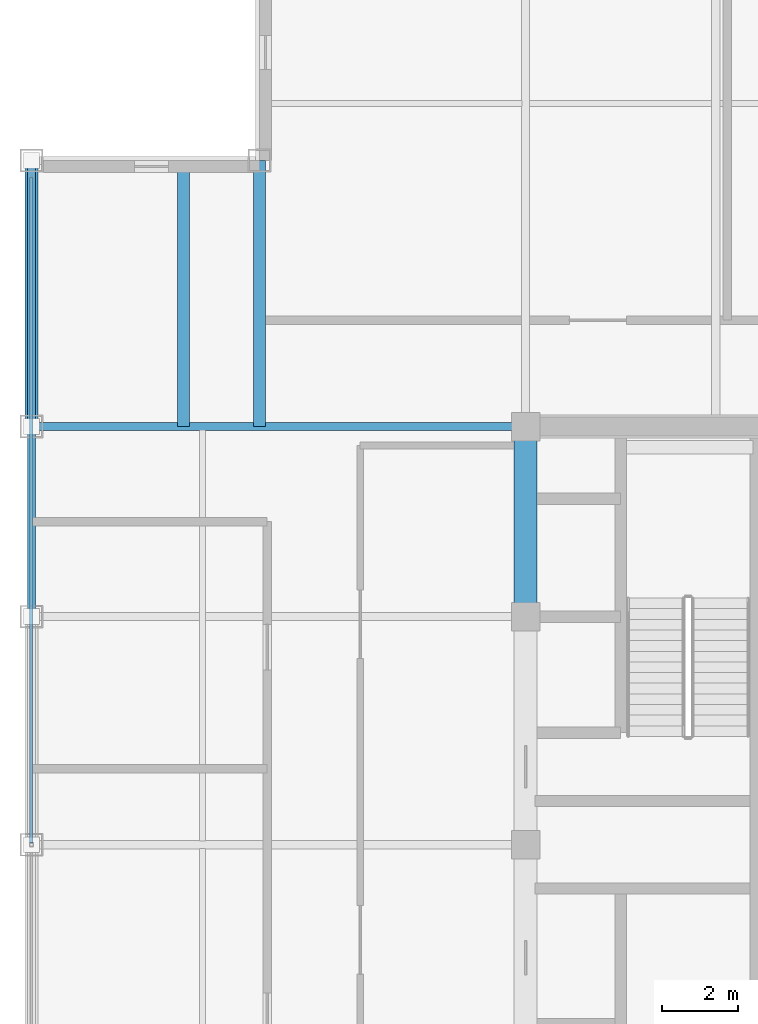
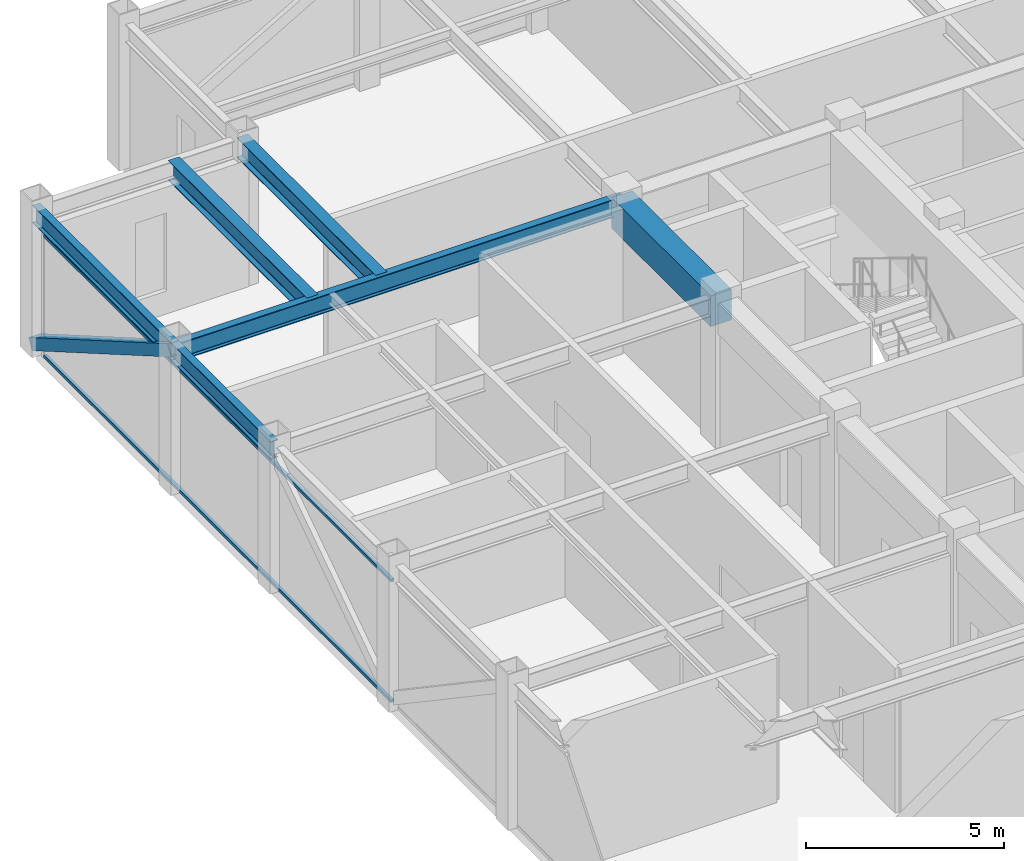
# One storey, part 13 of 27: 6 beams, 3 members, 1 element without a shape of its own.
"""IFC4 building model written with IfcOpenShell, lengths in metres."""

from ifc_helpers import new_model, si_unit, direction, frame, origin, origin_2d, place, context, subcontext, project, spatial, rectangle, hollow_rectangle, i_section, extrude, source, transform, mapped, material, material_profile, profile_set, type_object, element, aggregate, save


model = new_model("IFC4")

# Units and contexts
model_context = context("Model", 3, precision=1e-05, world=origin(), true_north=direction((0.0, 1.0)))
body_context = subcontext(model_context, "Body", "Model", "MODEL_VIEW")
ifc_project = project(units=[si_unit("LENGTHUNIT", "METRE"), si_unit("AREAUNIT", "SQUARE_METRE"), si_unit("VOLUMEUNIT", "CUBIC_METRE"), si_unit("PLANEANGLEUNIT", "RADIAN"), si_unit("MASSUNIT", "GRAM", prefix="KILO")], contexts=[model_context])

# Site, building, storey
site_placement = place(None, origin())
site = spatial("IfcSite", under=ifc_project, at=site_placement, CompositionType="ELEMENT")
building_placement = place(site_placement, origin())
building = spatial("IfcBuilding", under=site, at=building_placement, Name="Khorayat Bourse Tower", CompositionType="ELEMENT")
storey_placement = place(building_placement, frame((0.0, 0.0, 385.10009765625)))
storey = spatial("IfcBuildingStorey", under=building, at=storey_placement, Name="L91", CompositionType="ELEMENT", Elevation=385.10009765625)

# Beams
ifc_material_1 = material(Name="Concrete C60/75", Category="concrete")
ifc_material_profile_1 = material_profile(ifc_material_1, rectangle(XDim=0.60009765625, YDim=0.949951171875, at=origin_2d()), Name="RC 600x950")
ifc_profile_set_1 = profile_set([ifc_material_profile_1], Name="Concrete C60/75")
beam_type_1 = type_object("IfcBeamType", Name="BM-COUP-950", PredefinedType="BEAM", material=ifc_profile_set_1)
shared_shape_1 = source(origin(), body_context, "Body", "SweptSolid", [
    extrude(rectangle(XDim=0.60009765625, YDim=0.949951171875, at=origin_2d()), origin(), (0.0, 0.0, 1.0), 5.0),
])
beam_1_placement = place(storey_placement, frame((-11.0, 6.0, 3.974853515625), z_axis=(0.0, 1.0, 0.0), x_axis=(-1.0, 0.0, 0.0)))
element("IfcBeam", 1, at=beam_1_placement, inside=storey, type_object=beam_type_1, Name="L91 BM-COUP-950 BM-L91-CRX-04", PredefinedType="BEAM", context=body_context, shape_type="MappedRepresentation", body=[
    mapped(shared_shape_1, transform((0.0, 0.0, 0.0), scale=1.0)),
])
ifc_material_2 = material(Name="Steel ASTM A992 Grade 50", Category="steel")
ifc_material_profile_2 = material_profile(ifc_material_2, i_section(OverallWidth=0.214111328125, OverallDepth=0.549072265625, WebThickness=0.0146484375, FlangeThickness=0.023681640625, FilletRadius=0.013916015625, at=origin_2d()), Name="W530X138")
ifc_profile_set_2 = profile_set([ifc_material_profile_2], Name="Steel ASTM A992 Grade 50")
beam_type_2 = type_object("IfcBeamType", Name="BM-SPAN-530", PredefinedType="SPANDREL", material=ifc_profile_set_2)
shared_shape_2 = source(origin(), body_context, "Body", "SweptSolid", [
    extrude(i_section(OverallWidth=0.214111328125, OverallDepth=0.549072265625, WebThickness=0.0146484375, FlangeThickness=0.023681640625, FilletRadius=0.013916015625, at=origin_2d()), origin(), (0.0, 0.0, 1.0), 5.0),
])
beam_2_placement = place(storey_placement, frame((-24.0, 6.0, 4.17529296875), z_axis=(0.0, 1.0, 0.0), x_axis=(-1.0, 0.0, 0.0)))
element("IfcBeam", 2, at=beam_2_placement, inside=storey, type_object=beam_type_2, Name="L91 BM-SPAN-530 BM-L91-SPN-049", PredefinedType="SPANDREL", context=body_context, shape_type="MappedRepresentation", body=[
    mapped(shared_shape_2, transform((0.0, 0.0, 0.0), scale=1.0)),
])
shared_shape_3 = source(origin(), body_context, "Body", "SweptSolid", [
    extrude(i_section(OverallWidth=0.214111328125, OverallDepth=0.549072265625, WebThickness=0.0146484375, FlangeThickness=0.023681640625, FilletRadius=0.013916015625, at=origin_2d()), origin(), (0.0, 0.0, 1.0), 7.0),
])
beam_3_placement = place(storey_placement, frame((-24.0, 11.0, 4.17529296875), z_axis=(0.0, 1.0, 0.0), x_axis=(-1.0, 0.0, 0.0)))
element("IfcBeam", 3, at=beam_3_placement, inside=storey, type_object=beam_type_2, Name="L91 BM-SPAN-530 BM-L91-SPN-048", PredefinedType="SPANDREL", context=body_context, shape_type="MappedRepresentation", body=[
    mapped(shared_shape_3, transform((0.0, 0.0, 0.0), scale=1.0)),
])
ifc_material_profile_3 = material_profile(ifc_material_2, i_section(OverallWidth=0.214111328125, OverallDepth=0.549072265625, WebThickness=0.0146484375, FlangeThickness=0.023681640625, FilletRadius=0.013916015625, at=origin_2d()), Name="W530X138")
ifc_profile_set_3 = profile_set([ifc_material_profile_3], Name="Steel ASTM A992 Grade 50")
beam_type_3 = type_object("IfcBeamType", Name="BM-GIRD-530", PredefinedType="BEAM", material=ifc_profile_set_3)
shared_shape_4 = source(origin(), body_context, "Body", "SweptSolid", [
    extrude(i_section(OverallWidth=0.214111328125, OverallDepth=0.549072265625, WebThickness=0.0146484375, FlangeThickness=0.023681640625, FilletRadius=0.013916015625, at=origin_2d()), origin(), (0.0, 0.0, 1.0), 13.0),
])
beam_4_placement = place(storey_placement, frame((-24.0, 11.0, 4.17529296875), z_axis=(1.0, 0.0, 0.0), x_axis=(0.0, 1.0, 0.0)))
element("IfcBeam", 4, at=beam_4_placement, inside=storey, type_object=beam_type_3, Name="L91 BM-GIRD-530 BM-L91-RADX-075", PredefinedType="BEAM", context=body_context, shape_type="MappedRepresentation", body=[
    mapped(shared_shape_4, transform((0.0, 0.0, 0.0), scale=1.0)),
])
ifc_material_profile_4 = material_profile(ifc_material_2, i_section(OverallWidth=0.324951171875, OverallDepth=0.615966796875, WebThickness=0.013916015625, FlangeThickness=0.021484375, FilletRadius=0.01611328125, at=origin_2d()), Name="W610X174")
ifc_profile_set_4 = profile_set([ifc_material_profile_4], Name="Steel ASTM A992 Grade 50")
beam_type_4 = type_object("IfcBeamType", Name="BM-GIRD-610", PredefinedType="BEAM", material=ifc_profile_set_4)
shared_shape_5 = source(origin(), body_context, "Body", "SweptSolid", [
    extrude(i_section(OverallWidth=0.324951171875, OverallDepth=0.615966796875, WebThickness=0.013916015625, FlangeThickness=0.021484375, FilletRadius=0.01611328125, at=origin_2d()), origin(), (0.0, 0.0, 1.0), 7.0),
])
for number, where, z_axis, x_axis, name in (
    (5, (-18.0, 11.0, 4.141845703125), (0.0, 1.0, 0.0), (-1.0, 0.0, 0.0), "L91 BM-GIRD-610 BM-L91-CNRY-077"),
    (6, (-20.0, 11.0, 4.141845703125), (0.0, 1.0, 0.0), (-1.0, 0.0, 0.0), "L91 BM-GIRD-610 BM-L91-CNRY-081"),
):
    element("IfcBeam", number, at=place(storey_placement, frame(where, z_axis=z_axis, x_axis=x_axis)), inside=storey, type_object=beam_type_4, Name=name, PredefinedType="BEAM", context=body_context, shape_type="MappedRepresentation", body=[
        mapped(shared_shape_5, transform((0.0, 0.0, 0.0), scale=1.0)),
    ])

# Member
ifc_material_3 = material(Name="Steel EN 10025-2 S355J2", Category="steel")
ifc_material_profile_5 = material_profile(ifc_material_3, hollow_rectangle(XDim=0.35009765625, YDim=0.35009765625, WallThickness=0.02001953125, at=origin_2d()), Name="HSS 350x350x20")
ifc_profile_set_5 = profile_set([ifc_material_profile_5], Name="Steel EN 10025-2 S355J2")
member_type_1 = type_object("IfcMemberType", Name="MBR-CROWN-350", PredefinedType="USERDEFINED", material=ifc_profile_set_5)
shared_shape_6 = source(origin(), body_context, "Body", "SweptSolid", [
    extrude(hollow_rectangle(XDim=0.35009765625, YDim=0.35009765625, WallThickness=0.02001953125, at=origin_2d()), origin(), (0.0, 0.0, 1.0), 8.087158203125),
])
member_1_placement = place(storey_placement, frame((-24.0, 11.0, 4.25), z_axis=(0.0, 0.865564731219, -0.500797060763), x_axis=(-1.0, 0.0, 0.0)))
element("IfcMember", 7, at=member_1_placement, inside=storey, type_object=member_type_1, Name="L91 Lantern Crown Frame Member 12", ObjectType="CROWN FRAME", PredefinedType="USERDEFINED", context=body_context, shape_type="MappedRepresentation", body=[
    mapped(shared_shape_6, transform((0.0, 0.0, 0.0), scale=1.0)),
])

# Curtain wall, members
ifc_material_4 = material(Name="Aluminium EN AW-6063 T6", Category="aluminium")
curtain_wall_type = type_object("IfcCurtainWallType", Name="CW-SYS-07", PredefinedType="NOTDEFINED", material=ifc_material_4)
curtain_wall_placement = place(storey_placement, origin())
curtain_wall = element("IfcCurtainWall", 8, at=curtain_wall_placement, inside=storey, type_object=curtain_wall_type, Name="L91 Curtain Wall CW-L91-W1", PredefinedType="NOTDEFINED")
ifc_material_profile_6 = material_profile(ifc_material_4, hollow_rectangle(XDim=0.090087890625, YDim=0.090087890625, WallThickness=0.00390625, at=origin_2d()), Name="ALU 90x90x4")
ifc_profile_set_6 = profile_set([ifc_material_profile_6], Name="Aluminium EN AW-6063 T6")
member_type_2 = type_object("IfcMemberType", Name="CWT-HORZ-90", PredefinedType="USERDEFINED", material=ifc_profile_set_6)
shared_shape_7 = source(origin(), body_context, "Body", "SweptSolid", [
    extrude(hollow_rectangle(XDim=0.090087890625, YDim=0.090087890625, WallThickness=0.00390625, at=origin_2d()), origin(), (0.0, 0.0, 1.0), 17.5),
])
member_2_placement = place(storey_placement, frame((-24.0, 0.050048828125, 0.044921875), z_axis=(0.0, 1.0, 0.0), x_axis=(-1.0, 0.0, 0.0)))
member_2 = element("IfcMember", 9, at=member_2_placement, type_object=member_type_2, Name="CW-L91-W1 Horizontal Transom 2-1", ObjectType="TRANSOM", PredefinedType="USERDEFINED", context=body_context, shape_type="MappedRepresentation", body=[
    mapped(shared_shape_7, transform((0.0, 0.0, 0.0), scale=1.0)),
])
member_3_placement = place(storey_placement, frame((-24.0, 0.050048828125, 3.7548828125), z_axis=(0.0, 1.0, 0.0), x_axis=(-1.0, 0.0, 0.0)))
member_3 = element("IfcMember", 10, at=member_3_placement, type_object=member_type_2, Name="CW-L91-W1 Horizontal Transom 2-2", ObjectType="TRANSOM", PredefinedType="USERDEFINED", context=body_context, shape_type="MappedRepresentation", body=[
    mapped(shared_shape_7, transform((0.0, 0.0, 0.0), scale=1.0)),
])
aggregate(curtain_wall, [member_2, member_3])

save(model, "model.ifc")
